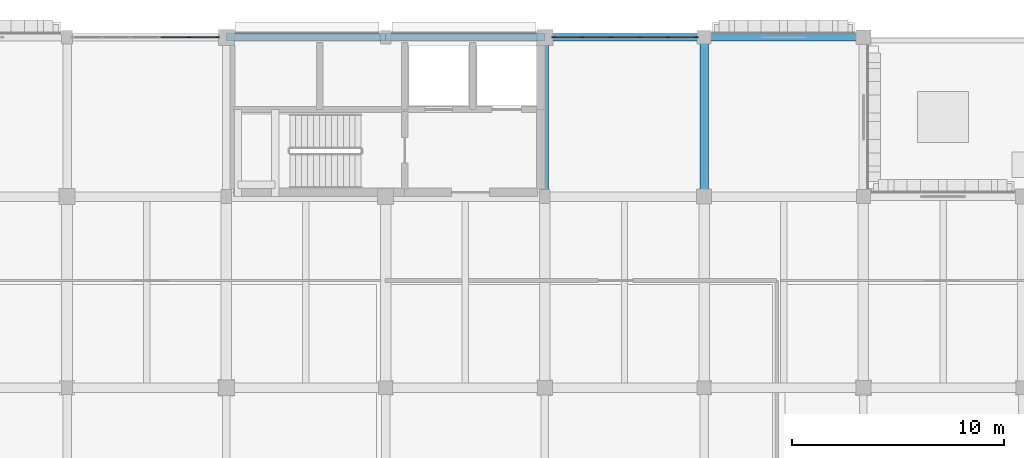
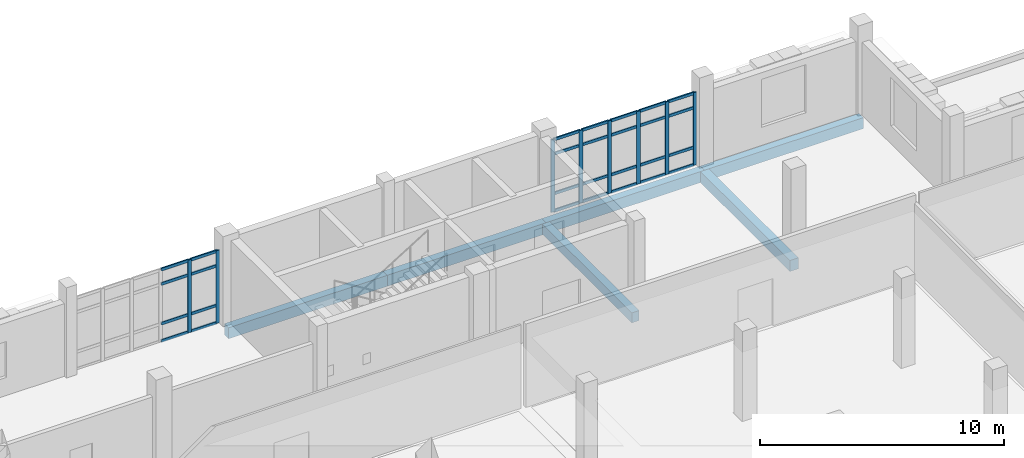
# One storey, part 56 of 128: 36 members, 6 beams, 2 elements without a shape of their own.
"""IFC4 building model written with IfcOpenShell, lengths in metres."""

import ifcopenshell
import ifcopenshell.guid

model = None  # the IFC model being written
_history = None  # IfcOwnerHistory: only IFC2X3 demands one
_inside = {}  # id of a spatial element -> (the spatial element, [elements in it])
_under = {}  # id of a project, library or spatial element -> (it, [spatial elements below it])
_declared = {}  # id of a project -> (the project, [libraries it declares])
_typed = {}  # id of a type object -> (the type object, [elements of that type])
_made_of = {}  # id of a material, layer set ... -> (it, [elements and type objects made of it])


def new_model(schema):
    """Start an empty IFC model of exactly this schema.

    Asked for "IFC4X3", IfcOpenShell would pick the latest addendum, in which some entities
    have other attributes; the version numbers below select the first issue.
    IFC2X3 requires an IfcOwnerHistory on every rooted entity: one is made here for all.
    """
    global model, _history
    if schema == "IFC4X3":
        model = ifcopenshell.file(schema_version=(4, 3, 0, 0))
    else:
        model = ifcopenshell.file(schema=schema)
    _inside.clear()
    _under.clear()
    _declared.clear()
    _typed.clear()
    _made_of.clear()
    _history = None
    if model.schema == "IFC2X3":
        org = make("IfcOrganization", Name="unknown")
        user = make(
            "IfcPersonAndOrganization",
            ThePerson=make("IfcPerson", FamilyName="unknown"),
            TheOrganization=org,
        )
        app = make(
            "IfcApplication",
            ApplicationDeveloper=org,
            Version="unknown",
            ApplicationFullName="unknown",
            ApplicationIdentifier="unknown",
        )
        _history = make(
            "IfcOwnerHistory",
            OwningUser=user,
            OwningApplication=app,
            ChangeAction="ADDED",
            CreationDate=0,
        )
    return model


def make(cls, **values):
    """One entity of the class cls with the attributes given. An attribute that is None is left unset."""
    return model.create_entity(
        cls, **{name: value for name, value in values.items() if value is not None}
    )


def rooted(cls, **values):
    """An entity with a GlobalId (a new one), such as an element, a storey or a relation."""
    return make(cls, GlobalId=ifcopenshell.guid.new(), OwnerHistory=_history, **values)


def si_unit(unit_type, name, prefix=None):
    """IfcSIUnit, for example si_unit("LENGTHUNIT", "METRE", prefix="MILLI")."""
    return make("IfcSIUnit", UnitType=unit_type, Prefix=prefix, Name=name)


def assignment(units):
    """IfcUnitAssignment: the units of a project."""
    return None if units is None else make("IfcUnitAssignment", Units=units)


def point(xyz):
    """IfcCartesianPoint."""
    return None if xyz is None else make("IfcCartesianPoint", Coordinates=xyz)


def direction(xyz):
    """IfcDirection."""
    return None if xyz is None else make("IfcDirection", DirectionRatios=xyz)


def frame(location, z_axis=None, x_axis=None):
    """IfcAxis2Placement3D, a coordinate frame: its origin and axes. An axis left out is left unset."""
    return make(
        "IfcAxis2Placement3D",
        Location=point(location),
        Axis=direction(z_axis),
        RefDirection=direction(x_axis),
    )


def frame_2d(location, x_axis=None):
    """IfcAxis2Placement2D, a coordinate frame in the plane: its origin and x axis."""
    return make(
        "IfcAxis2Placement2D", Location=point(location), RefDirection=direction(x_axis)
    )


def origin():
    """The frame at (0, 0, 0) with its axes left unset."""
    return frame((0.0, 0.0, 0.0))


def origin_2d():
    """The frame at (0, 0) in the plane with its x axis left unset."""
    return frame_2d((0.0, 0.0))


def place(relative_to, where):
    """IfcLocalPlacement: puts the frame where relative to a parent placement (None: the world)."""
    return make(
        "IfcLocalPlacement", PlacementRelTo=relative_to, RelativePlacement=where
    )


def context(
    kind, dimensions, precision=None, world=None, true_north=None, identifier=None
):
    """IfcGeometricRepresentationContext, for example the 3D "Model" context."""
    return make(
        "IfcGeometricRepresentationContext",
        ContextIdentifier=identifier,
        ContextType=kind,
        CoordinateSpaceDimension=dimensions,
        Precision=precision,
        WorldCoordinateSystem=world,
        TrueNorth=true_north,
    )


def subcontext(parent, identifier, kind, view, scale=None):
    """IfcGeometricRepresentationSubContext, for example "Body" below "Model"."""
    return make(
        "IfcGeometricRepresentationSubContext",
        ContextIdentifier=identifier,
        ContextType=kind,
        ParentContext=parent,
        TargetScale=scale,
        TargetView=view,
    )


def project(units=None, contexts=None):
    """IfcProject with its units and contexts."""
    return rooted(
        "IfcProject",
        Name="project",
        RepresentationContexts=contexts,
        UnitsInContext=assignment(units),
    )


def spatial(cls, under=None, at=None, **own):
    """A site, building, storey or space (cls), placed at a placement, below another one or the project."""
    s = rooted(cls, ObjectPlacement=at, **own)
    if under is not None:
        _under.setdefault(under.id(), (under, []))[1].append(s)
    return s


def profile(cls, at=None, kind="AREA", **sizes):
    """A parametric profile (cls). Its sizes go by their IFC names, for example OverallWidth=200.0."""
    return make(cls, ProfileType=kind, Position=at, **sizes)


def rectangle(**sizes):
    """IfcRectangleProfileDef."""
    return profile("IfcRectangleProfileDef", **sizes)


def extrude(swept, where, along, depth):
    """IfcExtrudedAreaSolid: the profile swept, set in the frame where, extruded along a direction by depth."""
    return make(
        "IfcExtrudedAreaSolid",
        SweptArea=swept,
        Position=where,
        ExtrudedDirection=direction(along),
        Depth=depth,
    )


def shape(context_of_items, identifier, shape_type, items):
    """IfcShapeRepresentation: the items that make up one representation, for example the "Body"."""
    return make(
        "IfcShapeRepresentation",
        ContextOfItems=context_of_items,
        RepresentationIdentifier=identifier,
        RepresentationType=shape_type,
        Items=items,
    )


def material(Name=None, Category=None):
    """IfcMaterial."""
    return make("IfcMaterial", Name=Name, Category=Category)


def layer(
    of_material, thickness, ventilated=None, Name=None, Category=None, Priority=None
):
    """IfcMaterialLayer: one layer of a wall or slab, of a material (None: an air gap)."""
    return make(
        "IfcMaterialLayer",
        Material=of_material,
        LayerThickness=thickness,
        IsVentilated=ventilated,
        Name=Name,
        Category=Category,
        Priority=Priority,
    )


def layer_set(layers, Name=None):
    """IfcMaterialLayerSet."""
    return make("IfcMaterialLayerSet", MaterialLayers=layers, LayerSetName=Name)


def material_profile(
    of_material, cross_section, Name=None, Category=None, Priority=None
):
    """IfcMaterialProfile: a cross section and its material."""
    return make(
        "IfcMaterialProfile",
        Name=Name,
        Material=of_material,
        Profile=cross_section,
        Priority=Priority,
        Category=Category,
    )


def profile_set(profiles, Name=None, composite=None):
    """IfcMaterialProfileSet."""
    return make(
        "IfcMaterialProfileSet",
        Name=Name,
        MaterialProfiles=profiles,
        CompositeProfile=composite,
    )


def made_of(thing, what):
    """Note that an element or type object is made of a material, layer set ...; save() writes the relation."""
    if what is not None:
        _made_of.setdefault(what.id(), (what, []))[1].append(thing)
    return thing


def type_object(cls, material=None, **own):
    """A type object (cls), such as IfcWallType, which elements share."""
    return made_of(rooted(cls, **own), material)


def element(
    cls,
    number,
    at=None,
    inside=None,
    cuts=None,
    type_object=None,
    material=None,
    context=None,
    identifier="Body",
    shape_type=None,
    held_by="IfcProductDefinitionShape",
    body=None,
    shapes=None,
    **own,
):
    """One element of the class cls, such as IfcWall. Its Tag is "e" and its number.

    at: its placement. inside: the storey or other place that contains it. cuts: it is an
    opening in that element (IfcRelVoidsElement). A single representation is given by context,
    identifier, shape_type and body (its items); several are given by shapes. held_by: the class
    of the entity that holds the representations. save() writes the other relations.
    """
    e = rooted(cls, Tag="e%d" % number, ObjectPlacement=at, **own)
    if body is not None:
        shapes = [shape(context, identifier, shape_type, body)]
    if shapes is not None:
        e.Representation = make(held_by, Representations=shapes)
    if inside is not None:
        _inside.setdefault(inside.id(), (inside, []))[1].append(e)
    if cuts is not None:
        rooted(
            "IfcRelVoidsElement", RelatingBuildingElement=cuts, RelatedOpeningElement=e
        )
    if type_object is not None:
        _typed.setdefault(type_object.id(), (type_object, []))[1].append(e)
    return made_of(e, material)


def aggregate(whole, parts):
    """IfcRelAggregates: a whole, such as a stair, and the parts it consists of."""
    return rooted("IfcRelAggregates", RelatingObject=whole, RelatedObjects=parts)


def save(model, path):
    """Write the relations noted so far, then the file.

    IfcRelAggregates (storeys below a building ...), IfcRelContainedInSpatialStructure (elements
    in a storey), IfcRelDefinesByType, IfcRelAssociatesMaterial and IfcRelDeclares: one each for
    every whole, place, type object, material and project.
    """
    for whole, parts in _under.values():
        aggregate(whole, parts)
    for where, things in _inside.values():
        rooted(
            "IfcRelContainedInSpatialStructure",
            RelatedElements=things,
            RelatingStructure=where,
        )
    for kind, things in _typed.values():
        rooted("IfcRelDefinesByType", RelatedObjects=things, RelatingType=kind)
    for what, things in _made_of.values():
        rooted("IfcRelAssociatesMaterial", RelatedObjects=things, RelatingMaterial=what)
    for by, libraries in _declared.values():
        rooted("IfcRelDeclares", RelatingContext=by, RelatedDefinitions=libraries)
    model.write(path)


model = new_model("IFC4")

# Units and contexts
model_context = context("Model", 3, precision=1e-05, world=origin(), true_north=direction((0.0, 1.0)))
body_context = subcontext(model_context, "Body", "Model", "MODEL_VIEW")
ifc_project = project(units=[si_unit("LENGTHUNIT", "METRE"), si_unit("AREAUNIT", "SQUARE_METRE"), si_unit("VOLUMEUNIT", "CUBIC_METRE"), si_unit("PLANEANGLEUNIT", "RADIAN"), si_unit("MASSUNIT", "GRAM", prefix="KILO")], contexts=[model_context])

# Site, building, storey
site_placement = place(None, origin())
site = spatial("IfcSite", under=ifc_project, at=site_placement, CompositionType="ELEMENT")
building_placement = place(site_placement, origin())
building = spatial("IfcBuilding", under=site, at=building_placement, Name="Dalvernix Boulevard General Hospital", CompositionType="ELEMENT")
storey_placement = place(building_placement, frame((0.0, 0.0, 4.800048828125)))
storey = spatial("IfcBuildingStorey", under=building, at=storey_placement, Name="L01", CompositionType="ELEMENT", Elevation=4.800048828125)

# Beams
ifc_material_1 = material(Name="Concrete C35/45", Category="concrete")
ifc_material_profile_1 = material_profile(ifc_material_1, rectangle(XDim=0.39990234375, YDim=0.550048828125, at=origin_2d()), Name="RCB 400x550")
ifc_profile_set_1 = profile_set([ifc_material_profile_1], Name="Concrete C35/45")
beam_type_1 = type_object("IfcBeamType", Name="BM-B-06-I", PredefinedType="BEAM", material=ifc_profile_set_1)
beam_1_placement = place(storey_placement, frame((120.0, 109.5, -0.574951171875), z_axis=(0.0, 1.0, 0.0), x_axis=(-1.0, 0.0, 0.0)))
element("IfcBeam", 1, at=beam_1_placement, inside=storey, type_object=beam_type_1, Name="L01 N-S girder 17:Q-R", PredefinedType="BEAM", context=body_context, shape_type="SweptSolid", body=[
    extrude(rectangle(XDim=0.39990234375, YDim=0.550048828125, at=origin_2d()), origin(), (0.0, 0.0, 1.0), 7.5),
])
ifc_material_profile_2 = material_profile(ifc_material_1, rectangle(XDim=0.35009765625, YDim=0.5, at=origin_2d()), Name="RCB 350x500")
ifc_profile_set_2 = profile_set([ifc_material_profile_2], Name="Concrete C35/45")
beam_type_2 = type_object("IfcBeamType", Name="BM-B-08-I", PredefinedType="BEAM", material=ifc_profile_set_2)
beam_2_placement = place(storey_placement, frame((112.5, 109.5, -0.550048828125), z_axis=(0.0, 1.0, 0.0), x_axis=(-1.0, 0.0, 0.0)))
element("IfcBeam", 2, at=beam_2_placement, inside=storey, type_object=beam_type_2, Name="L01 N-S girder 16:Q-R", PredefinedType="BEAM", context=body_context, shape_type="SweptSolid", body=[
    extrude(rectangle(XDim=0.35009765625, YDim=0.5, at=origin_2d()), origin(), (0.0, 0.0, 1.0), 7.5),
])
ifc_material_profile_3 = material_profile(ifc_material_1, rectangle(XDim=0.35009765625, YDim=0.550048828125, at=origin_2d()), Name="RCB 350x550")
ifc_profile_set_3 = profile_set([ifc_material_profile_3], Name="Concrete C35/45")
beam_type_3 = type_object("IfcBeamType", Name="BM-SB-01-E", PredefinedType="SPANDREL", material=ifc_profile_set_3)
for number, where, z_axis, x_axis, name in (
    (3, (97.5, 117.0, -0.574951171875), (1.0, 0.0, 0.0), (0.0, 1.0, 0.0), "L01 E-W girder R:14-15"),
    (4, (105.0, 117.0, -0.574951171875), (1.0, 0.0, 0.0), (0.0, 1.0, 0.0), "L01 E-W girder R:15-16"),
    (5, (112.5, 117.0, -0.574951171875), (1.0, 0.0, 0.0), (0.0, 1.0, 0.0), "L01 E-W girder R:16-17"),
    (6, (120.0, 117.0, -0.574951171875), (1.0, 0.0, 0.0), (0.0, 1.0, 0.0), "L01 E-W girder R:17-18"),
):
    element("IfcBeam", number, at=place(storey_placement, frame(where, z_axis=z_axis, x_axis=x_axis)), inside=storey, type_object=beam_type_3, Name=name, PredefinedType="SPANDREL", context=body_context, shape_type="SweptSolid", body=[
        extrude(rectangle(XDim=0.35009765625, YDim=0.550048828125, at=origin_2d()), origin(), (0.0, 0.0, 1.0), 7.5),
    ])

# Curtain wall, members
ifc_material_2 = material(Name="Thermally broken aluminium and solar-control glass curtain wall", Category="aluminium")
ifc_layer_1 = layer(ifc_material_2, 0.179931640625)
ifc_layer_set_1 = layer_set([ifc_layer_1], Name="Thermally broken aluminium and solar-control glass curtain wall (CW-CW-B-69x36)")
curtain_wall_type_1 = type_object("IfcCurtainWallType", Name="CW-CW-B-69x36", PredefinedType="USERDEFINED", material=ifc_layer_set_1)
curtain_wall_1_placement = place(storey_placement, origin())
curtain_wall_1 = element("IfcCurtainWall", 7, at=curtain_wall_1_placement, inside=storey, type_object=curtain_wall_type_1, Name="L01 curtain wall CW-B-69x36 12-15", ObjectType="GLAZED FACADE", PredefinedType="USERDEFINED")
ifc_material_3 = material(Name="Aluminium EN AW-6060", Category="aluminium")
ifc_material_profile_4 = material_profile(ifc_material_3, rectangle(XDim=0.06494140625, YDim=0.179931640625, at=origin_2d()), Name="ALU MULL 65x180")
ifc_profile_set_4 = profile_set([ifc_material_profile_4], Name="Aluminium EN AW-6060")
member_type_1 = type_object("IfcMemberType", Name="MEM-CW-M2", PredefinedType="MULLION", material=ifc_profile_set_4)
member_1_placement = place(storey_placement, frame((95.743896484375, 117.0, 0.0), z_axis=(0.0, 0.0, 1.0), x_axis=(0.0, 1.0, 0.0)))
member_1 = element("IfcMember", 8, at=member_1_placement, type_object=member_type_1, Name="CW-B-69x36 mullion 5", PredefinedType="MULLION", context=body_context, shape_type="SweptSolid", body=[
    extrude(rectangle(XDim=0.06494140625, YDim=0.179931640625, at=origin_2d()), origin(), (0.0, 0.0, 1.0), 3.6298828125),
])
member_2_placement = place(storey_placement, frame((97.08251953125, 117.0, 0.0), z_axis=(0.0, 0.0, 1.0), x_axis=(0.0, 1.0, 0.0)))
member_2 = element("IfcMember", 9, at=member_2_placement, type_object=member_type_1, Name="CW-B-69x36 mullion 6", PredefinedType="MULLION", context=body_context, shape_type="SweptSolid", body=[
    extrude(rectangle(XDim=0.06494140625, YDim=0.179931640625, at=origin_2d()), origin(), (0.0, 0.0, 1.0), 3.6298828125),
])

ifc_layer_2 = layer(ifc_material_2, 0.179931640625)
ifc_layer_set_2 = layer_set([ifc_layer_2], Name="Thermally broken aluminium and solar-control glass curtain wall (CW-CW-B-68x36)")
curtain_wall_type_2 = type_object("IfcCurtainWallType", Name="CW-CW-B-68x36", PredefinedType="USERDEFINED", material=ifc_layer_set_2)
curtain_wall_2_placement = place(storey_placement, origin())
curtain_wall_2 = element("IfcCurtainWall", 10, at=curtain_wall_2_placement, inside=storey, type_object=curtain_wall_type_2, Name="L01 curtain wall CW-B-68x36 15-15", ObjectType="GLAZED FACADE", PredefinedType="USERDEFINED")
member_3_placement = place(storey_placement, frame((112.91748046875, 117.0, 0.0), z_axis=(0.0, 0.0, 1.0), x_axis=(0.0, 1.0, 0.0)))
member_3 = element("IfcMember", 11, at=member_3_placement, type_object=member_type_1, Name="CW-B-68x36 mullion 1", PredefinedType="MULLION", context=body_context, shape_type="SweptSolid", body=[
    extrude(rectangle(XDim=0.06494140625, YDim=0.179931640625, at=origin_2d()), origin(), (0.0, 0.0, 1.0), 3.6298828125),
])
member_4_placement = place(storey_placement, frame((114.240966796875, 117.0, 0.0), z_axis=(0.0, 0.0, 1.0), x_axis=(0.0, 1.0, 0.0)))
member_4 = element("IfcMember", 12, at=member_4_placement, type_object=member_type_1, Name="CW-B-68x36 mullion 2", PredefinedType="MULLION", context=body_context, shape_type="SweptSolid", body=[
    extrude(rectangle(XDim=0.06494140625, YDim=0.179931640625, at=origin_2d()), origin(), (0.0, 0.0, 1.0), 3.6298828125),
])
member_5_placement = place(storey_placement, frame((115.596923828125, 117.0, 0.0), z_axis=(0.0, 0.0, 1.0), x_axis=(0.0, 1.0, 0.0)))
member_5 = element("IfcMember", 13, at=member_5_placement, type_object=member_type_1, Name="CW-B-68x36 mullion 3", PredefinedType="MULLION", context=body_context, shape_type="SweptSolid", body=[
    extrude(rectangle(XDim=0.06494140625, YDim=0.179931640625, at=origin_2d()), origin(), (0.0, 0.0, 1.0), 3.6298828125),
])
member_6_placement = place(storey_placement, frame((116.952880859375, 117.0, 0.0), z_axis=(0.0, 0.0, 1.0), x_axis=(0.0, 1.0, 0.0)))
member_6 = element("IfcMember", 14, at=member_6_placement, type_object=member_type_1, Name="CW-B-68x36 mullion 4", PredefinedType="MULLION", context=body_context, shape_type="SweptSolid", body=[
    extrude(rectangle(XDim=0.06494140625, YDim=0.179931640625, at=origin_2d()), origin(), (0.0, 0.0, 1.0), 3.6298828125),
])
member_7_placement = place(storey_placement, frame((118.30908203125, 117.0, 0.0), z_axis=(0.0, 0.0, 1.0), x_axis=(0.0, 1.0, 0.0)))
member_7 = element("IfcMember", 15, at=member_7_placement, type_object=member_type_1, Name="CW-B-68x36 mullion 5", PredefinedType="MULLION", context=body_context, shape_type="SweptSolid", body=[
    extrude(rectangle(XDim=0.06494140625, YDim=0.179931640625, at=origin_2d()), origin(), (0.0, 0.0, 1.0), 3.6298828125),
])
member_8_placement = place(storey_placement, frame((119.632568359375, 117.0, 0.0), z_axis=(0.0, 0.0, 1.0), x_axis=(0.0, 1.0, 0.0)))
member_8 = element("IfcMember", 16, at=member_8_placement, type_object=member_type_1, Name="CW-B-68x36 mullion 6", PredefinedType="MULLION", context=body_context, shape_type="SweptSolid", body=[
    extrude(rectangle(XDim=0.06494140625, YDim=0.179931640625, at=origin_2d()), origin(), (0.0, 0.0, 1.0), 3.6298828125),
])

# Member
ifc_material_profile_5 = material_profile(ifc_material_3, rectangle(XDim=0.06494140625, YDim=0.139892578125, at=origin_2d()), Name="ALU TRAN 65x140")
ifc_profile_set_5 = profile_set([ifc_material_profile_5], Name="Aluminium EN AW-6060")
member_type_2 = type_object("IfcMemberType", Name="MEM-CW-T2", PredefinedType="USERDEFINED", material=ifc_profile_set_5)
member_9_placement = place(storey_placement, frame((94.405517578125, 117.0, 0.032470703125), z_axis=(1.0, 0.0, 0.0), x_axis=(0.0, 1.0, 0.0)))
member_9 = element("IfcMember", 17, at=member_9_placement, type_object=member_type_2, Name="CW-B-69x36 transom 4.1", ObjectType="TRANSOM", PredefinedType="USERDEFINED", context=body_context, shape_type="SweptSolid", body=[
    extrude(rectangle(XDim=0.06494140625, YDim=0.139892578125, at=origin_2d()), origin(), (0.0, 0.0, 1.0), 1.305908203125),
])

member_10_placement = place(storey_placement, frame((94.405517578125, 117.0, 0.89990234375), z_axis=(1.0, 0.0, 0.0), x_axis=(0.0, 1.0, 0.0)))
member_10 = element("IfcMember", 18, at=member_10_placement, type_object=member_type_2, Name="CW-B-69x36 transom 4.2", ObjectType="TRANSOM", PredefinedType="USERDEFINED", context=body_context, shape_type="SweptSolid", body=[
    extrude(rectangle(XDim=0.06494140625, YDim=0.139892578125, at=origin_2d()), origin(), (0.0, 0.0, 1.0), 1.305908203125),
])

member_11_placement = place(storey_placement, frame((94.405517578125, 117.0, 2.8798828125), z_axis=(1.0, 0.0, 0.0), x_axis=(0.0, 1.0, 0.0)))
member_11 = element("IfcMember", 19, at=member_11_placement, type_object=member_type_2, Name="CW-B-69x36 transom 4.3", ObjectType="TRANSOM", PredefinedType="USERDEFINED", context=body_context, shape_type="SweptSolid", body=[
    extrude(rectangle(XDim=0.06494140625, YDim=0.139892578125, at=origin_2d()), origin(), (0.0, 0.0, 1.0), 1.305908203125),
])

member_12_placement = place(storey_placement, frame((94.405517578125, 117.0, 3.597412109375), z_axis=(1.0, 0.0, 0.0), x_axis=(0.0, 1.0, 0.0)))
member_12 = element("IfcMember", 20, at=member_12_placement, type_object=member_type_2, Name="CW-B-69x36 transom 4.4", ObjectType="TRANSOM", PredefinedType="USERDEFINED", context=body_context, shape_type="SweptSolid", body=[
    extrude(rectangle(XDim=0.06494140625, YDim=0.139892578125, at=origin_2d()), origin(), (0.0, 0.0, 1.0), 1.305908203125),
])

member_13_placement = place(storey_placement, frame((95.776611328125, 117.0, 0.032470703125), z_axis=(1.0, 0.0, 0.0), x_axis=(0.0, 1.0, 0.0)))
member_13 = element("IfcMember", 21, at=member_13_placement, type_object=member_type_2, Name="CW-B-69x36 transom 5.1", ObjectType="TRANSOM", PredefinedType="USERDEFINED", context=body_context, shape_type="SweptSolid", body=[
    extrude(rectangle(XDim=0.06494140625, YDim=0.139892578125, at=origin_2d()), origin(), (0.0, 0.0, 1.0), 1.2734375),
])

member_14_placement = place(storey_placement, frame((95.776611328125, 117.0, 0.89990234375), z_axis=(1.0, 0.0, 0.0), x_axis=(0.0, 1.0, 0.0)))
member_14 = element("IfcMember", 22, at=member_14_placement, type_object=member_type_2, Name="CW-B-69x36 transom 5.2", ObjectType="TRANSOM", PredefinedType="USERDEFINED", context=body_context, shape_type="SweptSolid", body=[
    extrude(rectangle(XDim=0.06494140625, YDim=0.139892578125, at=origin_2d()), origin(), (0.0, 0.0, 1.0), 1.2734375),
])

member_15_placement = place(storey_placement, frame((95.776611328125, 117.0, 2.8798828125), z_axis=(1.0, 0.0, 0.0), x_axis=(0.0, 1.0, 0.0)))
member_15 = element("IfcMember", 23, at=member_15_placement, type_object=member_type_2, Name="CW-B-69x36 transom 5.3", ObjectType="TRANSOM", PredefinedType="USERDEFINED", context=body_context, shape_type="SweptSolid", body=[
    extrude(rectangle(XDim=0.06494140625, YDim=0.139892578125, at=origin_2d()), origin(), (0.0, 0.0, 1.0), 1.2734375),
])

member_16_placement = place(storey_placement, frame((95.776611328125, 117.0, 3.597412109375), z_axis=(1.0, 0.0, 0.0), x_axis=(0.0, 1.0, 0.0)))
member_16 = element("IfcMember", 24, at=member_16_placement, type_object=member_type_2, Name="CW-B-69x36 transom 5.4", ObjectType="TRANSOM", PredefinedType="USERDEFINED", context=body_context, shape_type="SweptSolid", body=[
    extrude(rectangle(XDim=0.06494140625, YDim=0.139892578125, at=origin_2d()), origin(), (0.0, 0.0, 1.0), 1.2734375),
])

aggregate(curtain_wall_1, [member_1, member_2, member_9, member_10, member_11, member_12, member_13, member_14, member_15, member_16])

member_17_placement = place(storey_placement, frame((112.949951171875, 117.0, 0.032470703125), z_axis=(1.0, 0.0, 0.0), x_axis=(0.0, 1.0, 0.0)))
member_17 = element("IfcMember", 25, at=member_17_placement, type_object=member_type_2, Name="CW-B-68x36 transom 1.1", ObjectType="TRANSOM", PredefinedType="USERDEFINED", context=body_context, shape_type="SweptSolid", body=[
    extrude(rectangle(XDim=0.06494140625, YDim=0.139892578125, at=origin_2d()), origin(), (0.0, 0.0, 1.0), 1.258544921875),
])

member_18_placement = place(storey_placement, frame((112.949951171875, 117.0, 0.89990234375), z_axis=(1.0, 0.0, 0.0), x_axis=(0.0, 1.0, 0.0)))
member_18 = element("IfcMember", 26, at=member_18_placement, type_object=member_type_2, Name="CW-B-68x36 transom 1.2", ObjectType="TRANSOM", PredefinedType="USERDEFINED", context=body_context, shape_type="SweptSolid", body=[
    extrude(rectangle(XDim=0.06494140625, YDim=0.139892578125, at=origin_2d()), origin(), (0.0, 0.0, 1.0), 1.258544921875),
])

member_19_placement = place(storey_placement, frame((112.949951171875, 117.0, 2.8798828125), z_axis=(1.0, 0.0, 0.0), x_axis=(0.0, 1.0, 0.0)))
member_19 = element("IfcMember", 27, at=member_19_placement, type_object=member_type_2, Name="CW-B-68x36 transom 1.3", ObjectType="TRANSOM", PredefinedType="USERDEFINED", context=body_context, shape_type="SweptSolid", body=[
    extrude(rectangle(XDim=0.06494140625, YDim=0.139892578125, at=origin_2d()), origin(), (0.0, 0.0, 1.0), 1.258544921875),
])

member_20_placement = place(storey_placement, frame((112.949951171875, 117.0, 3.597412109375), z_axis=(1.0, 0.0, 0.0), x_axis=(0.0, 1.0, 0.0)))
member_20 = element("IfcMember", 28, at=member_20_placement, type_object=member_type_2, Name="CW-B-68x36 transom 1.4", ObjectType="TRANSOM", PredefinedType="USERDEFINED", context=body_context, shape_type="SweptSolid", body=[
    extrude(rectangle(XDim=0.06494140625, YDim=0.139892578125, at=origin_2d()), origin(), (0.0, 0.0, 1.0), 1.258544921875),
])

member_21_placement = place(storey_placement, frame((114.2734375, 117.0, 0.032470703125), z_axis=(1.0, 0.0, 0.0), x_axis=(0.0, 1.0, 0.0)))
member_21 = element("IfcMember", 29, at=member_21_placement, type_object=member_type_2, Name="CW-B-68x36 transom 2.1", ObjectType="TRANSOM", PredefinedType="USERDEFINED", context=body_context, shape_type="SweptSolid", body=[
    extrude(rectangle(XDim=0.06494140625, YDim=0.139892578125, at=origin_2d()), origin(), (0.0, 0.0, 1.0), 1.291015625),
])

member_22_placement = place(storey_placement, frame((114.2734375, 117.0, 0.89990234375), z_axis=(1.0, 0.0, 0.0), x_axis=(0.0, 1.0, 0.0)))
member_22 = element("IfcMember", 30, at=member_22_placement, type_object=member_type_2, Name="CW-B-68x36 transom 2.2", ObjectType="TRANSOM", PredefinedType="USERDEFINED", context=body_context, shape_type="SweptSolid", body=[
    extrude(rectangle(XDim=0.06494140625, YDim=0.139892578125, at=origin_2d()), origin(), (0.0, 0.0, 1.0), 1.291015625),
])

member_23_placement = place(storey_placement, frame((114.2734375, 117.0, 2.8798828125), z_axis=(1.0, 0.0, 0.0), x_axis=(0.0, 1.0, 0.0)))
member_23 = element("IfcMember", 31, at=member_23_placement, type_object=member_type_2, Name="CW-B-68x36 transom 2.3", ObjectType="TRANSOM", PredefinedType="USERDEFINED", context=body_context, shape_type="SweptSolid", body=[
    extrude(rectangle(XDim=0.06494140625, YDim=0.139892578125, at=origin_2d()), origin(), (0.0, 0.0, 1.0), 1.291015625),
])

member_24_placement = place(storey_placement, frame((114.2734375, 117.0, 3.597412109375), z_axis=(1.0, 0.0, 0.0), x_axis=(0.0, 1.0, 0.0)))
member_24 = element("IfcMember", 32, at=member_24_placement, type_object=member_type_2, Name="CW-B-68x36 transom 2.4", ObjectType="TRANSOM", PredefinedType="USERDEFINED", context=body_context, shape_type="SweptSolid", body=[
    extrude(rectangle(XDim=0.06494140625, YDim=0.139892578125, at=origin_2d()), origin(), (0.0, 0.0, 1.0), 1.291015625),
])

member_25_placement = place(storey_placement, frame((115.62939453125, 117.0, 0.032470703125), z_axis=(1.0, 0.0, 0.0), x_axis=(0.0, 1.0, 0.0)))
member_25 = element("IfcMember", 33, at=member_25_placement, type_object=member_type_2, Name="CW-B-68x36 transom 3.1", ObjectType="TRANSOM", PredefinedType="USERDEFINED", context=body_context, shape_type="SweptSolid", body=[
    extrude(rectangle(XDim=0.06494140625, YDim=0.139892578125, at=origin_2d()), origin(), (0.0, 0.0, 1.0), 1.291015625),
])

member_26_placement = place(storey_placement, frame((115.62939453125, 117.0, 0.89990234375), z_axis=(1.0, 0.0, 0.0), x_axis=(0.0, 1.0, 0.0)))
member_26 = element("IfcMember", 34, at=member_26_placement, type_object=member_type_2, Name="CW-B-68x36 transom 3.2", ObjectType="TRANSOM", PredefinedType="USERDEFINED", context=body_context, shape_type="SweptSolid", body=[
    extrude(rectangle(XDim=0.06494140625, YDim=0.139892578125, at=origin_2d()), origin(), (0.0, 0.0, 1.0), 1.291015625),
])

member_27_placement = place(storey_placement, frame((115.62939453125, 117.0, 2.8798828125), z_axis=(1.0, 0.0, 0.0), x_axis=(0.0, 1.0, 0.0)))
member_27 = element("IfcMember", 35, at=member_27_placement, type_object=member_type_2, Name="CW-B-68x36 transom 3.3", ObjectType="TRANSOM", PredefinedType="USERDEFINED", context=body_context, shape_type="SweptSolid", body=[
    extrude(rectangle(XDim=0.06494140625, YDim=0.139892578125, at=origin_2d()), origin(), (0.0, 0.0, 1.0), 1.291015625),
])

member_28_placement = place(storey_placement, frame((115.62939453125, 117.0, 3.597412109375), z_axis=(1.0, 0.0, 0.0), x_axis=(0.0, 1.0, 0.0)))
member_28 = element("IfcMember", 36, at=member_28_placement, type_object=member_type_2, Name="CW-B-68x36 transom 3.4", ObjectType="TRANSOM", PredefinedType="USERDEFINED", context=body_context, shape_type="SweptSolid", body=[
    extrude(rectangle(XDim=0.06494140625, YDim=0.139892578125, at=origin_2d()), origin(), (0.0, 0.0, 1.0), 1.291015625),
])

member_29_placement = place(storey_placement, frame((116.985595703125, 117.0, 0.032470703125), z_axis=(1.0, 0.0, 0.0), x_axis=(0.0, 1.0, 0.0)))
member_29 = element("IfcMember", 37, at=member_29_placement, type_object=member_type_2, Name="CW-B-68x36 transom 4.1", ObjectType="TRANSOM", PredefinedType="USERDEFINED", context=body_context, shape_type="SweptSolid", body=[
    extrude(rectangle(XDim=0.06494140625, YDim=0.139892578125, at=origin_2d()), origin(), (0.0, 0.0, 1.0), 1.291015625),
])

member_30_placement = place(storey_placement, frame((116.985595703125, 117.0, 0.89990234375), z_axis=(1.0, 0.0, 0.0), x_axis=(0.0, 1.0, 0.0)))
member_30 = element("IfcMember", 38, at=member_30_placement, type_object=member_type_2, Name="CW-B-68x36 transom 4.2", ObjectType="TRANSOM", PredefinedType="USERDEFINED", context=body_context, shape_type="SweptSolid", body=[
    extrude(rectangle(XDim=0.06494140625, YDim=0.139892578125, at=origin_2d()), origin(), (0.0, 0.0, 1.0), 1.291015625),
])

member_31_placement = place(storey_placement, frame((116.985595703125, 117.0, 2.8798828125), z_axis=(1.0, 0.0, 0.0), x_axis=(0.0, 1.0, 0.0)))
member_31 = element("IfcMember", 39, at=member_31_placement, type_object=member_type_2, Name="CW-B-68x36 transom 4.3", ObjectType="TRANSOM", PredefinedType="USERDEFINED", context=body_context, shape_type="SweptSolid", body=[
    extrude(rectangle(XDim=0.06494140625, YDim=0.139892578125, at=origin_2d()), origin(), (0.0, 0.0, 1.0), 1.291015625),
])

member_32_placement = place(storey_placement, frame((116.985595703125, 117.0, 3.597412109375), z_axis=(1.0, 0.0, 0.0), x_axis=(0.0, 1.0, 0.0)))
member_32 = element("IfcMember", 40, at=member_32_placement, type_object=member_type_2, Name="CW-B-68x36 transom 4.4", ObjectType="TRANSOM", PredefinedType="USERDEFINED", context=body_context, shape_type="SweptSolid", body=[
    extrude(rectangle(XDim=0.06494140625, YDim=0.139892578125, at=origin_2d()), origin(), (0.0, 0.0, 1.0), 1.291015625),
])

member_33_placement = place(storey_placement, frame((118.341552734375, 117.0, 0.032470703125), z_axis=(1.0, 0.0, 0.0), x_axis=(0.0, 1.0, 0.0)))
member_33 = element("IfcMember", 41, at=member_33_placement, type_object=member_type_2, Name="CW-B-68x36 transom 5.1", ObjectType="TRANSOM", PredefinedType="USERDEFINED", context=body_context, shape_type="SweptSolid", body=[
    extrude(rectangle(XDim=0.06494140625, YDim=0.139892578125, at=origin_2d()), origin(), (0.0, 0.0, 1.0), 1.258544921875),
])

member_34_placement = place(storey_placement, frame((118.341552734375, 117.0, 0.89990234375), z_axis=(1.0, 0.0, 0.0), x_axis=(0.0, 1.0, 0.0)))
member_34 = element("IfcMember", 42, at=member_34_placement, type_object=member_type_2, Name="CW-B-68x36 transom 5.2", ObjectType="TRANSOM", PredefinedType="USERDEFINED", context=body_context, shape_type="SweptSolid", body=[
    extrude(rectangle(XDim=0.06494140625, YDim=0.139892578125, at=origin_2d()), origin(), (0.0, 0.0, 1.0), 1.258544921875),
])

member_35_placement = place(storey_placement, frame((118.341552734375, 117.0, 2.8798828125), z_axis=(1.0, 0.0, 0.0), x_axis=(0.0, 1.0, 0.0)))
member_35 = element("IfcMember", 43, at=member_35_placement, type_object=member_type_2, Name="CW-B-68x36 transom 5.3", ObjectType="TRANSOM", PredefinedType="USERDEFINED", context=body_context, shape_type="SweptSolid", body=[
    extrude(rectangle(XDim=0.06494140625, YDim=0.139892578125, at=origin_2d()), origin(), (0.0, 0.0, 1.0), 1.258544921875),
])

member_36_placement = place(storey_placement, frame((118.341552734375, 117.0, 3.597412109375), z_axis=(1.0, 0.0, 0.0), x_axis=(0.0, 1.0, 0.0)))
member_36 = element("IfcMember", 44, at=member_36_placement, type_object=member_type_2, Name="CW-B-68x36 transom 5.4", ObjectType="TRANSOM", PredefinedType="USERDEFINED", context=body_context, shape_type="SweptSolid", body=[
    extrude(rectangle(XDim=0.06494140625, YDim=0.139892578125, at=origin_2d()), origin(), (0.0, 0.0, 1.0), 1.258544921875),
])

aggregate(curtain_wall_2, [member_3, member_4, member_5, member_6, member_7, member_8, member_17, member_18, member_19, member_20, member_21, member_22, member_23, member_24, member_25, member_26, member_27, member_28, member_29, member_30, member_31, member_32, member_33, member_34, member_35, member_36])

save(model, "model.ifc")
